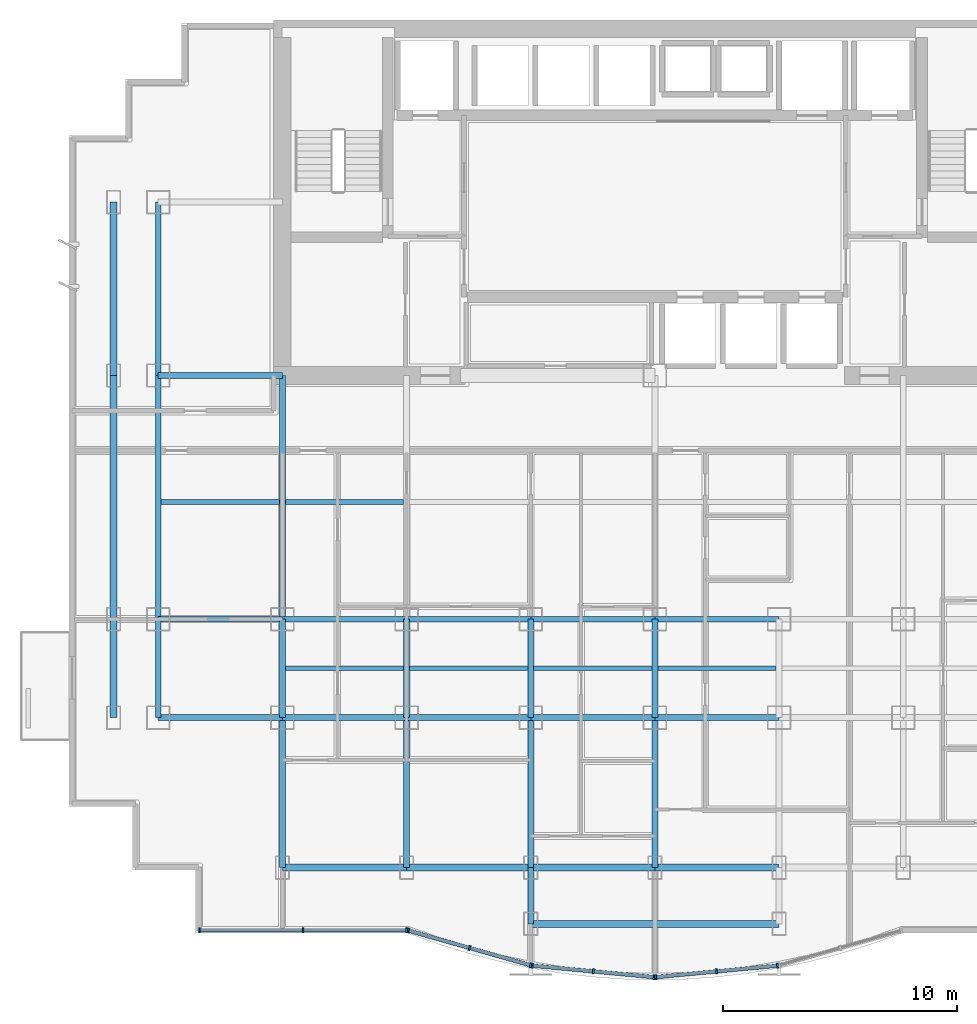
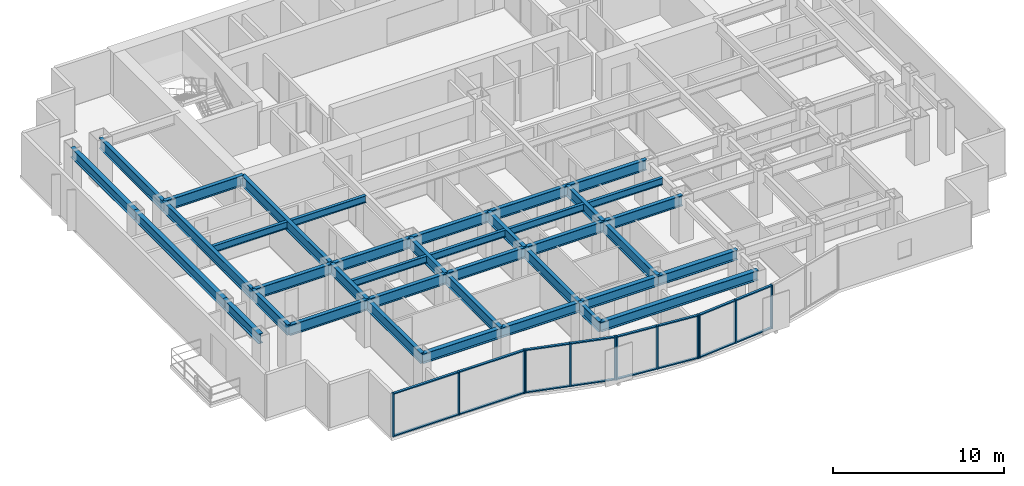
# One storey, part 2 of 10: 38 beams, 28 members, 4 elements without a shape of their own.
"""IFC4 building model written with IfcOpenShell, lengths in metres."""

from ifc_helpers import new_model, si_unit, direction, frame, origin, origin_2d, place, context, subcontext, project, spatial, rectangle, i_section, extrude, source, transform, mapped, material, layer, layer_set, material_profile, profile_set, type_object, element, aggregate, save


model = new_model("IFC4")

# Units and contexts
model_context = context("Model", 3, precision=1e-05, world=origin(), true_north=direction((0.0, 1.0)))
body_context = subcontext(model_context, "Body", "Model", "MODEL_VIEW")
ifc_project = project(units=[si_unit("LENGTHUNIT", "METRE"), si_unit("AREAUNIT", "SQUARE_METRE"), si_unit("VOLUMEUNIT", "CUBIC_METRE"), si_unit("PLANEANGLEUNIT", "RADIAN"), si_unit("MASSUNIT", "GRAM", prefix="KILO")], contexts=[model_context])

# Site, building, storey
site_placement = place(None, origin())
site = spatial("IfcSite", under=ifc_project, at=site_placement, CompositionType="ELEMENT")
building_placement = place(site_placement, origin())
building = spatial("IfcBuilding", under=site, at=building_placement, Name="Qianlan Lanfeng Residences", CompositionType="ELEMENT")
storey_placement = place(building_placement, frame((0.0, 0.0, 98.199951171875)))
storey = spatial("IfcBuildingStorey", under=building, at=storey_placement, Name="L26", CompositionType="ELEMENT", Elevation=98.199951171875)

# Beams
ifc_material_1 = material(Name="Steel SN490B", Category="steel")
ifc_material_profile_1 = material_profile(ifc_material_1, i_section(OverallWidth=0.25, OverallDepth=0.75, WebThickness=0.013916015625, FlangeThickness=0.02490234375, at=origin_2d()), Name="H 750x250x14x25")
ifc_profile_set_1 = profile_set([ifc_material_profile_1], Name="Steel SN490B")
beam_type_1 = type_object("IfcBeamType", Name="G-850", PredefinedType="BEAM", material=ifc_profile_set_1)
beam_1_placement = place(storey_placement, frame((5.300048828125, 10.60009765625, 2.715087890625), z_axis=(1.0, 0.0, 0.0), x_axis=(0.0, 1.0, 0.0)))
element("IfcBeam", 1, at=beam_1_placement, inside=storey, type_object=beam_type_1, Name="Structural beam G-850", PredefinedType="BEAM", context=body_context, shape_type="SweptSolid", body=[
    extrude(i_section(OverallWidth=0.25, OverallDepth=0.75, WebThickness=0.013916015625, FlangeThickness=0.02490234375, at=origin_2d()), origin(), (0.0, 0.0, 1.0), 5.300048828125),
])
beam_2_placement = place(storey_placement, frame((10.60009765625, 10.60009765625, 2.715087890625), z_axis=(1.0, 0.0, 0.0), x_axis=(0.0, 1.0, 0.0)))
element("IfcBeam", 2, at=beam_2_placement, inside=storey, type_object=beam_type_1, Name="Structural beam G-850", PredefinedType="BEAM", context=body_context, shape_type="SweptSolid", body=[
    extrude(i_section(OverallWidth=0.25, OverallDepth=0.75, WebThickness=0.013916015625, FlangeThickness=0.02490234375, at=origin_2d()), origin(), (0.0, 0.0, 1.0), 5.2998046875),
])
for number, where, z_axis, x_axis, name in (
    (3, (15.89990234375, 10.60009765625, 2.715087890625), (1.0, 0.0, 0.0), (0.0, 1.0, 0.0), "Structural beam G-850"),
    (4, (21.199951171875, 10.60009765625, 2.715087890625), (1.0, 0.0, 0.0), (0.0, 1.0, 0.0), "Structural beam G-850"),
    (5, (26.5, 10.60009765625, 2.715087890625), (1.0, 0.0, 0.0), (0.0, 1.0, 0.0), "Structural beam G-850"),
    (6, (5.300048828125, 14.800048828125, 2.715087890625), (1.0, 0.0, 0.0), (0.0, 1.0, 0.0), "Structural beam G-850"),
):
    element("IfcBeam", number, at=place(storey_placement, frame(where, z_axis=z_axis, x_axis=x_axis)), inside=storey, type_object=beam_type_1, Name=name, PredefinedType="BEAM", context=body_context, shape_type="SweptSolid", body=[
        extrude(i_section(OverallWidth=0.25, OverallDepth=0.75, WebThickness=0.013916015625, FlangeThickness=0.02490234375, at=origin_2d()), origin(), (0.0, 0.0, 1.0), 5.300048828125),
    ])
beam_3_placement = place(storey_placement, frame((10.60009765625, 14.800048828125, 2.715087890625), z_axis=(1.0, 0.0, 0.0), x_axis=(0.0, 1.0, 0.0)))
element("IfcBeam", 7, at=beam_3_placement, inside=storey, type_object=beam_type_1, Name="Structural beam G-850", PredefinedType="BEAM", context=body_context, shape_type="SweptSolid", body=[
    extrude(i_section(OverallWidth=0.25, OverallDepth=0.75, WebThickness=0.013916015625, FlangeThickness=0.02490234375, at=origin_2d()), origin(), (0.0, 0.0, 1.0), 5.2998046875),
])
for number, where, z_axis, x_axis, name in (
    (8, (15.89990234375, 14.800048828125, 2.715087890625), (1.0, 0.0, 0.0), (0.0, 1.0, 0.0), "Structural beam G-850"),
    (9, (21.199951171875, 14.800048828125, 2.715087890625), (1.0, 0.0, 0.0), (0.0, 1.0, 0.0), "Structural beam G-850"),
    (10, (26.5, 14.800048828125, 2.715087890625), (1.0, 0.0, 0.0), (0.0, 1.0, 0.0), "Structural beam G-850"),
    (11, (5.300048828125, 25.199951171875, 2.715087890625), (1.0, 0.0, 0.0), (0.0, 1.0, 0.0), "Structural beam G-850"),
):
    element("IfcBeam", number, at=place(storey_placement, frame(where, z_axis=z_axis, x_axis=x_axis)), inside=storey, type_object=beam_type_1, Name=name, PredefinedType="BEAM", context=body_context, shape_type="SweptSolid", body=[
        extrude(i_section(OverallWidth=0.25, OverallDepth=0.75, WebThickness=0.013916015625, FlangeThickness=0.02490234375, at=origin_2d()), origin(), (0.0, 0.0, 1.0), 5.300048828125),
    ])
beam_4_placement = place(storey_placement, frame((5.300048828125, 10.60009765625, 2.715087890625), z_axis=(0.0, 1.0, 0.0), x_axis=(-1.0, 0.0, 0.0)))
element("IfcBeam", 12, at=beam_4_placement, inside=storey, type_object=beam_type_1, Name="Structural beam G-850", PredefinedType="BEAM", context=body_context, shape_type="SweptSolid", body=[
    extrude(i_section(OverallWidth=0.25, OverallDepth=0.75, WebThickness=0.013916015625, FlangeThickness=0.02490234375, at=origin_2d()), origin(), (0.0, 0.0, 1.0), 4.199951171875),
])
beam_5_placement = place(storey_placement, frame((5.300048828125, 14.800048828125, 2.715087890625), z_axis=(0.0, 1.0, 0.0), x_axis=(-1.0, 0.0, 0.0)))
element("IfcBeam", 13, at=beam_5_placement, inside=storey, type_object=beam_type_1, Name="Structural beam G-850", PredefinedType="BEAM", context=body_context, shape_type="SweptSolid", body=[
    extrude(i_section(OverallWidth=0.25, OverallDepth=0.75, WebThickness=0.013916015625, FlangeThickness=0.02490234375, at=origin_2d()), origin(), (0.0, 0.0, 1.0), 10.39990234375),
])
beam_6_placement = place(storey_placement, frame((5.300048828125, 25.199951171875, 2.715087890625), z_axis=(0.0, 1.0, 0.0), x_axis=(-1.0, 0.0, 0.0)))
element("IfcBeam", 14, at=beam_6_placement, inside=storey, type_object=beam_type_1, Name="Structural beam G-850", PredefinedType="BEAM", context=body_context, shape_type="SweptSolid", body=[
    extrude(i_section(OverallWidth=0.25, OverallDepth=0.75, WebThickness=0.013916015625, FlangeThickness=0.02490234375, at=origin_2d()), origin(), (0.0, 0.0, 1.0), 7.400146484375),
])
beam_7_placement = place(storey_placement, frame((10.60009765625, 4.199951171875, 2.715087890625), z_axis=(0.0, 1.0, 0.0), x_axis=(-1.0, 0.0, 0.0)))
element("IfcBeam", 15, at=beam_7_placement, inside=storey, type_object=beam_type_1, Name="Structural beam G-850", PredefinedType="BEAM", context=body_context, shape_type="SweptSolid", body=[
    extrude(i_section(OverallWidth=0.25, OverallDepth=0.75, WebThickness=0.013916015625, FlangeThickness=0.02490234375, at=origin_2d()), origin(), (0.0, 0.0, 1.0), 6.400146484375),
])
beam_8_placement = place(storey_placement, frame((10.60009765625, 10.60009765625, 2.715087890625), z_axis=(0.0, 1.0, 0.0), x_axis=(-1.0, 0.0, 0.0)))
element("IfcBeam", 16, at=beam_8_placement, inside=storey, type_object=beam_type_1, Name="Structural beam G-850", PredefinedType="BEAM", context=body_context, shape_type="SweptSolid", body=[
    extrude(i_section(OverallWidth=0.25, OverallDepth=0.75, WebThickness=0.013916015625, FlangeThickness=0.02490234375, at=origin_2d()), origin(), (0.0, 0.0, 1.0), 4.199951171875),
])
beam_9_placement = place(storey_placement, frame((10.60009765625, 14.800048828125, 2.715087890625), z_axis=(0.0, 1.0, 0.0), x_axis=(-1.0, 0.0, 0.0)))
element("IfcBeam", 17, at=beam_9_placement, inside=storey, type_object=beam_type_1, Name="Structural beam G-850", PredefinedType="BEAM", context=body_context, shape_type="SweptSolid", body=[
    extrude(i_section(OverallWidth=0.25, OverallDepth=0.75, WebThickness=0.013916015625, FlangeThickness=0.02490234375, at=origin_2d()), origin(), (0.0, 0.0, 1.0), 10.39990234375),
])
beam_10_placement = place(storey_placement, frame((15.89990234375, 4.199951171875, 2.715087890625), z_axis=(0.0, 1.0, 0.0), x_axis=(-1.0, 0.0, 0.0)))
element("IfcBeam", 18, at=beam_10_placement, inside=storey, type_object=beam_type_1, Name="Structural beam G-850", PredefinedType="BEAM", context=body_context, shape_type="SweptSolid", body=[
    extrude(i_section(OverallWidth=0.25, OverallDepth=0.75, WebThickness=0.013916015625, FlangeThickness=0.02490234375, at=origin_2d()), origin(), (0.0, 0.0, 1.0), 6.400146484375),
])
beam_11_placement = place(storey_placement, frame((15.89990234375, 10.60009765625, 2.715087890625), z_axis=(0.0, 1.0, 0.0), x_axis=(-1.0, 0.0, 0.0)))
element("IfcBeam", 19, at=beam_11_placement, inside=storey, type_object=beam_type_1, Name="Structural beam G-850", PredefinedType="BEAM", context=body_context, shape_type="SweptSolid", body=[
    extrude(i_section(OverallWidth=0.25, OverallDepth=0.75, WebThickness=0.013916015625, FlangeThickness=0.02490234375, at=origin_2d()), origin(), (0.0, 0.0, 1.0), 4.199951171875),
])
beam_12_placement = place(storey_placement, frame((21.199951171875, 1.800048828125, 2.715087890625), z_axis=(0.0, 1.0, 0.0), x_axis=(-1.0, 0.0, 0.0)))
element("IfcBeam", 20, at=beam_12_placement, inside=storey, type_object=beam_type_1, Name="Structural beam G-850", PredefinedType="BEAM", context=body_context, shape_type="SweptSolid", body=[
    extrude(i_section(OverallWidth=0.25, OverallDepth=0.75, WebThickness=0.013916015625, FlangeThickness=0.02490234375, at=origin_2d()), origin(), (0.0, 0.0, 1.0), 2.39990234375),
])
beam_13_placement = place(storey_placement, frame((21.199951171875, 4.199951171875, 2.715087890625), z_axis=(0.0, 1.0, 0.0), x_axis=(-1.0, 0.0, 0.0)))
element("IfcBeam", 21, at=beam_13_placement, inside=storey, type_object=beam_type_1, Name="Structural beam G-850", PredefinedType="BEAM", context=body_context, shape_type="SweptSolid", body=[
    extrude(i_section(OverallWidth=0.25, OverallDepth=0.75, WebThickness=0.013916015625, FlangeThickness=0.02490234375, at=origin_2d()), origin(), (0.0, 0.0, 1.0), 6.400146484375),
])
beam_14_placement = place(storey_placement, frame((21.199951171875, 10.60009765625, 2.715087890625), z_axis=(0.0, 1.0, 0.0), x_axis=(-1.0, 0.0, 0.0)))
element("IfcBeam", 22, at=beam_14_placement, inside=storey, type_object=beam_type_1, Name="Structural beam G-850", PredefinedType="BEAM", context=body_context, shape_type="SweptSolid", body=[
    extrude(i_section(OverallWidth=0.25, OverallDepth=0.75, WebThickness=0.013916015625, FlangeThickness=0.02490234375, at=origin_2d()), origin(), (0.0, 0.0, 1.0), 4.199951171875),
])
beam_15_placement = place(storey_placement, frame((26.5, 4.199951171875, 2.715087890625), z_axis=(0.0, 1.0, 0.0), x_axis=(-1.0, 0.0, 0.0)))
element("IfcBeam", 23, at=beam_15_placement, inside=storey, type_object=beam_type_1, Name="Structural beam G-850", PredefinedType="BEAM", context=body_context, shape_type="SweptSolid", body=[
    extrude(i_section(OverallWidth=0.25, OverallDepth=0.75, WebThickness=0.013916015625, FlangeThickness=0.02490234375, at=origin_2d()), origin(), (0.0, 0.0, 1.0), 6.400146484375),
])
beam_16_placement = place(storey_placement, frame((26.5, 10.60009765625, 2.715087890625), z_axis=(0.0, 1.0, 0.0), x_axis=(-1.0, 0.0, 0.0)))
element("IfcBeam", 24, at=beam_16_placement, inside=storey, type_object=beam_type_1, Name="Structural beam G-850", PredefinedType="BEAM", context=body_context, shape_type="SweptSolid", body=[
    extrude(i_section(OverallWidth=0.25, OverallDepth=0.75, WebThickness=0.013916015625, FlangeThickness=0.02490234375, at=origin_2d()), origin(), (0.0, 0.0, 1.0), 4.199951171875),
])
ifc_material_profile_2 = material_profile(ifc_material_1, i_section(OverallWidth=0.199951171875, OverallDepth=0.5, WebThickness=0.010009765625, FlangeThickness=0.01611328125, at=origin_2d()), Name="H 500x200x10x16")
ifc_profile_set_2 = profile_set([ifc_material_profile_2], Name="Steel SN490B")
beam_type_2 = type_object("IfcBeamType", Name="J-500", PredefinedType="JOIST", material=ifc_profile_set_2)
beam_17_placement = place(storey_placement, frame((10.72509765625, 12.699951171875, 2.840087890625), z_axis=(1.0, 0.0, 0.0), x_axis=(0.0, 1.0, 0.0)))
element("IfcBeam", 25, at=beam_17_placement, inside=storey, type_object=beam_type_2, Name="Structural beam J-500", PredefinedType="JOIST", context=body_context, shape_type="SweptSolid", body=[
    extrude(i_section(OverallWidth=0.199951171875, OverallDepth=0.5, WebThickness=0.010009765625, FlangeThickness=0.01611328125, at=origin_2d()), origin(), (0.0, 0.0, 1.0), 5.0498046875),
])
for number, where, z_axis, x_axis, name in (
    (26, (16.02490234375, 12.699951171875, 2.840087890625), (1.0, 0.0, 0.0), (0.0, 1.0, 0.0), "Structural beam J-500"),
    (27, (21.324951171875, 12.699951171875, 2.840087890625), (1.0, 0.0, 0.0), (0.0, 1.0, 0.0), "Structural beam J-500"),
    (28, (26.625, 12.699951171875, 2.840087890625), (1.0, 0.0, 0.0), (0.0, 1.0, 0.0), "Structural beam J-500"),
    (29, (5.425048828125, 19.800048828125, 2.840087890625), (1.0, 0.0, 0.0), (0.0, 1.0, 0.0), "Structural beam J-500"),
):
    element("IfcBeam", number, at=place(storey_placement, frame(where, z_axis=z_axis, x_axis=x_axis)), inside=storey, type_object=beam_type_2, Name=name, PredefinedType="JOIST", context=body_context, shape_type="SweptSolid", body=[
        extrude(i_section(OverallWidth=0.199951171875, OverallDepth=0.5, WebThickness=0.010009765625, FlangeThickness=0.01611328125, at=origin_2d()), origin(), (0.0, 0.0, 1.0), 5.050048828125),
    ])
beam_18_placement = place(storey_placement, frame((10.72509765625, 19.800048828125, 2.840087890625), z_axis=(1.0, 0.0, 0.0), x_axis=(0.0, 1.0, 0.0)))
element("IfcBeam", 30, at=beam_18_placement, inside=storey, type_object=beam_type_2, Name="Structural beam J-500", PredefinedType="JOIST", context=body_context, shape_type="SweptSolid", body=[
    extrude(i_section(OverallWidth=0.199951171875, OverallDepth=0.5, WebThickness=0.010009765625, FlangeThickness=0.01611328125, at=origin_2d()), origin(), (0.0, 0.0, 1.0), 5.0498046875),
])
ifc_material_profile_3 = material_profile(ifc_material_1, i_section(OverallWidth=0.300048828125, OverallDepth=0.699951171875, WebThickness=0.012939453125, FlangeThickness=0.02392578125, at=origin_2d()), Name="H 700x300x13x24")
ifc_profile_set_3 = profile_set([ifc_material_profile_3], Name="Steel SN490B")
beam_type_3 = type_object("IfcBeamType", Name="SG-750", PredefinedType="SPANDREL", material=ifc_profile_set_3)
beam_19_placement = place(storey_placement, frame((21.199951171875, 1.800048828125, 2.739990234375), z_axis=(1.0, 0.0, 0.0), x_axis=(0.0, 1.0, 0.0)))
element("IfcBeam", 31, at=beam_19_placement, inside=storey, type_object=beam_type_3, Name="Structural beam SG-750", PredefinedType="SPANDREL", context=body_context, shape_type="SweptSolid", body=[
    extrude(i_section(OverallWidth=0.300048828125, OverallDepth=0.699951171875, WebThickness=0.012939453125, FlangeThickness=0.02392578125, at=origin_2d()), origin(), (0.0, 0.0, 1.0), 10.60009765625),
])
beam_20_placement = place(storey_placement, frame((10.60009765625, 4.199951171875, 2.739990234375), z_axis=(1.0, 0.0, 0.0), x_axis=(0.0, 1.0, 0.0)))
element("IfcBeam", 32, at=beam_20_placement, inside=storey, type_object=beam_type_3, Name="Structural beam SG-750", PredefinedType="SPANDREL", context=body_context, shape_type="SweptSolid", body=[
    extrude(i_section(OverallWidth=0.300048828125, OverallDepth=0.699951171875, WebThickness=0.012939453125, FlangeThickness=0.02392578125, at=origin_2d()), origin(), (0.0, 0.0, 1.0), 5.2998046875),
])
for number, where, z_axis, x_axis, name in (
    (33, (15.89990234375, 4.199951171875, 2.739990234375), (1.0, 0.0, 0.0), (0.0, 1.0, 0.0), "Structural beam SG-750"),
    (34, (21.199951171875, 4.199951171875, 2.739990234375), (1.0, 0.0, 0.0), (0.0, 1.0, 0.0), "Structural beam SG-750"),
    (35, (26.5, 4.199951171875, 2.739990234375), (1.0, 0.0, 0.0), (0.0, 1.0, 0.0), "Structural beam SG-750"),
):
    element("IfcBeam", number, at=place(storey_placement, frame(where, z_axis=z_axis, x_axis=x_axis)), inside=storey, type_object=beam_type_3, Name=name, PredefinedType="SPANDREL", context=body_context, shape_type="SweptSolid", body=[
        extrude(i_section(OverallWidth=0.300048828125, OverallDepth=0.699951171875, WebThickness=0.012939453125, FlangeThickness=0.02392578125, at=origin_2d()), origin(), (0.0, 0.0, 1.0), 5.300048828125),
    ])
beam_21_placement = place(storey_placement, frame((3.39990234375, 10.60009765625, 2.739990234375), z_axis=(0.0, 1.0, 0.0), x_axis=(-1.0, 0.0, 0.0)))
element("IfcBeam", 36, at=beam_21_placement, inside=storey, type_object=beam_type_3, Name="Structural beam SG-750", PredefinedType="SPANDREL", context=body_context, shape_type="SweptSolid", body=[
    extrude(i_section(OverallWidth=0.300048828125, OverallDepth=0.699951171875, WebThickness=0.012939453125, FlangeThickness=0.02392578125, at=origin_2d()), origin(), (0.0, 0.0, 1.0), 4.199951171875),
])
beam_22_placement = place(storey_placement, frame((3.39990234375, 14.800048828125, 2.739990234375), z_axis=(0.0, 1.0, 0.0), x_axis=(-1.0, 0.0, 0.0)))
element("IfcBeam", 37, at=beam_22_placement, inside=storey, type_object=beam_type_3, Name="Structural beam SG-750", PredefinedType="SPANDREL", context=body_context, shape_type="SweptSolid", body=[
    extrude(i_section(OverallWidth=0.300048828125, OverallDepth=0.699951171875, WebThickness=0.012939453125, FlangeThickness=0.02392578125, at=origin_2d()), origin(), (0.0, 0.0, 1.0), 10.39990234375),
])
beam_23_placement = place(storey_placement, frame((3.39990234375, 25.199951171875, 2.739990234375), z_axis=(0.0, 1.0, 0.0), x_axis=(-1.0, 0.0, 0.0)))
element("IfcBeam", 38, at=beam_23_placement, inside=storey, type_object=beam_type_3, Name="Structural beam SG-750", PredefinedType="SPANDREL", context=body_context, shape_type="SweptSolid", body=[
    extrude(i_section(OverallWidth=0.300048828125, OverallDepth=0.699951171875, WebThickness=0.012939453125, FlangeThickness=0.02392578125, at=origin_2d()), origin(), (0.0, 0.0, 1.0), 7.400146484375),
])

# Curtain wall, members
ifc_material_2 = material(Name="Anodised Bronze Aluminium 6063-T6", Category="aluminium")
ifc_layer = layer(ifc_material_2, 0.219970703125)
ifc_layer_set = layer_set([ifc_layer], Name="Anodised Bronze Aluminium 6063-T6")
curtain_wall_type = type_object("IfcCurtainWallType", Name="CW-03", PredefinedType="NOTDEFINED", material=ifc_layer_set)
curtain_wall_1_placement = place(storey_placement, origin())
curtain_wall_1 = element("IfcCurtainWall", 39, at=curtain_wall_1_placement, inside=storey, type_object=curtain_wall_type, Name="L26 Unitised Curtain Wall CWR-L26-01 (CW-03)", PredefinedType="NOTDEFINED")
ifc_material_profile_4 = material_profile(ifc_material_2, rectangle(XDim=0.080078125, YDim=0.159912109375, at=origin_2d()), Name="ALU TRANSOM 80x160")
ifc_profile_set_4 = profile_set([ifc_material_profile_4], Name="Anodised Bronze Aluminium 6063-T6")
member_type_1 = type_object("IfcMemberType", Name="CWT-180", PredefinedType="USERDEFINED", material=ifc_profile_set_4)
shared_shape_1 = source(origin(), body_context, "Body", "SweptSolid", [
    extrude(rectangle(XDim=0.080078125, YDim=0.159912109375, at=origin_2d()), origin(), (0.0, 0.0, 1.0), 4.34033203125),
])
member_1_placement = place(storey_placement, frame((7.10009765625, 1.52001953125, 0.0400390625), z_axis=(1.0, 0.0, 0.0), x_axis=(0.0, 0.0, 1.0)))
member_1 = element("IfcMember", 40, at=member_1_placement, type_object=member_type_1, Name="CWR-L26-01 Transom 1-BOT", ObjectType="TRANSOM", PredefinedType="USERDEFINED", context=body_context, shape_type="MappedRepresentation", body=[
    mapped(shared_shape_1, transform((0.0, 0.0, 0.0), scale=1.0)),
])
member_2_placement = place(storey_placement, frame((7.10009765625, 1.52001953125, 3.050048828125), z_axis=(1.0, 0.0, 0.0), x_axis=(0.0, 0.0, 1.0)))
member_2 = element("IfcMember", 41, at=member_2_placement, type_object=member_type_1, Name="CWR-L26-01 Transom 1-TOP", ObjectType="TRANSOM", PredefinedType="USERDEFINED", context=body_context, shape_type="MappedRepresentation", body=[
    mapped(shared_shape_1, transform((0.0, 0.0, 0.0), scale=1.0)),
])
shared_shape_2 = source(origin(), body_context, "Body", "SweptSolid", [
    extrude(rectangle(XDim=0.080078125, YDim=0.159912109375, at=origin_2d()), origin(), (0.0, 0.0, 1.0), 4.340576171875),
])
member_3_placement = place(storey_placement, frame((11.5205078125, 1.52001953125, 0.0400390625), z_axis=(1.0, 0.0, 0.0), x_axis=(0.0, 0.0, 1.0)))
member_3 = element("IfcMember", 42, at=member_3_placement, type_object=member_type_1, Name="CWR-L26-01 Transom 2-BOT", ObjectType="TRANSOM", PredefinedType="USERDEFINED", context=body_context, shape_type="MappedRepresentation", body=[
    mapped(shared_shape_2, transform((0.0, 0.0, 0.0), scale=1.0)),
])
member_4_placement = place(storey_placement, frame((11.5205078125, 1.52001953125, 3.050048828125), z_axis=(1.0, 0.0, 0.0), x_axis=(0.0, 0.0, 1.0)))
member_4 = element("IfcMember", 43, at=member_4_placement, type_object=member_type_1, Name="CWR-L26-01 Transom 2-TOP", ObjectType="TRANSOM", PredefinedType="USERDEFINED", context=body_context, shape_type="MappedRepresentation", body=[
    mapped(shared_shape_2, transform((0.0, 0.0, 0.0), scale=1.0)),
])

curtain_wall_2_placement = place(storey_placement, origin())
curtain_wall_2 = element("IfcCurtainWall", 44, at=curtain_wall_2_placement, inside=storey, type_object=curtain_wall_type, Name="L26 Unitised Curtain Wall CWR-L26-02 (CW-03)", PredefinedType="NOTDEFINED")
shared_shape_3 = source(origin(), body_context, "Body", "SweptSolid", [
    extrude(rectangle(XDim=0.080078125, YDim=0.159912109375, at=origin_2d()), origin(), (0.0, 0.0, 1.0), 2.630126953125),
])
member_5_placement = place(storey_placement, frame((16.01806640625, 1.498291015625, 0.0400390625), z_axis=(0.961960587005, -0.273188266675, 0.0), x_axis=(0.0, 0.0, 1.0)))
member_5 = element("IfcMember", 45, at=member_5_placement, type_object=member_type_1, Name="CWR-L26-02 Transom 1-BOT", ObjectType="TRANSOM", PredefinedType="USERDEFINED", context=body_context, shape_type="MappedRepresentation", body=[
    mapped(shared_shape_3, transform((0.0, 0.0, 0.0), scale=1.0)),
])
member_6_placement = place(storey_placement, frame((16.01806640625, 1.498291015625, 3.050048828125), z_axis=(0.961960587005, -0.273188266675, 0.0), x_axis=(0.0, 0.0, 1.0)))
member_6 = element("IfcMember", 46, at=member_6_placement, type_object=member_type_1, Name="CWR-L26-02 Transom 1-TOP", ObjectType="TRANSOM", PredefinedType="USERDEFINED", context=body_context, shape_type="MappedRepresentation", body=[
    mapped(shared_shape_3, transform((0.0, 0.0, 0.0), scale=1.0)),
])
member_7_placement = place(storey_placement, frame((18.625, 0.758056640625, 0.0400390625), z_axis=(0.961984978242, -0.273102364758, 0.0), x_axis=(0.0, 0.0, 1.0)))
member_7 = element("IfcMember", 47, at=member_7_placement, type_object=member_type_1, Name="CWR-L26-02 Transom 2-BOT", ObjectType="TRANSOM", PredefinedType="USERDEFINED", context=body_context, shape_type="MappedRepresentation", body=[
    mapped(shared_shape_3, transform((0.0, 0.0, 0.0), scale=1.0)),
])
member_8_placement = place(storey_placement, frame((18.625, 0.758056640625, 3.050048828125), z_axis=(0.961984978242, -0.273102364758, 0.0), x_axis=(0.0, 0.0, 1.0)))
member_8 = element("IfcMember", 48, at=member_8_placement, type_object=member_type_1, Name="CWR-L26-02 Transom 2-TOP", ObjectType="TRANSOM", PredefinedType="USERDEFINED", context=body_context, shape_type="MappedRepresentation", body=[
    mapped(shared_shape_3, transform((0.0, 0.0, 0.0), scale=1.0)),
])

curtain_wall_3_placement = place(storey_placement, origin())
curtain_wall_3 = element("IfcCurtainWall", 49, at=curtain_wall_3_placement, inside=storey, type_object=curtain_wall_type, Name="L26 Unitised Curtain Wall CWR-L26-03 (CW-03)", PredefinedType="NOTDEFINED")
shared_shape_4 = source(origin(), body_context, "Body", "SweptSolid", [
    extrude(rectangle(XDim=0.080078125, YDim=0.159912109375, at=origin_2d()), origin(), (0.0, 0.0, 1.0), 2.52587890625),
])
member_9_placement = place(storey_placement, frame((21.3115234375, 0.010498046875, 0.0400390625), z_axis=(0.995558673677, -0.094143121181, 0.0), x_axis=(0.0, 0.0, 1.0)))
member_9 = element("IfcMember", 50, at=member_9_placement, type_object=member_type_1, Name="CWR-L26-03 Transom 1-BOT", ObjectType="TRANSOM", PredefinedType="USERDEFINED", context=body_context, shape_type="MappedRepresentation", body=[
    mapped(shared_shape_4, transform((0.0, 0.0, 0.0), scale=1.0)),
])
member_10_placement = place(storey_placement, frame((21.3115234375, 0.010498046875, 3.050048828125), z_axis=(0.995558673677, -0.094143121181, 0.0), x_axis=(0.0, 0.0, 1.0)))
member_10 = element("IfcMember", 51, at=member_10_placement, type_object=member_type_1, Name="CWR-L26-03 Transom 1-TOP", ObjectType="TRANSOM", PredefinedType="USERDEFINED", context=body_context, shape_type="MappedRepresentation", body=[
    mapped(shared_shape_4, transform((0.0, 0.0, 0.0), scale=1.0)),
])
member_11_placement = place(storey_placement, frame((23.90576171875, -0.23486328125, 0.0400390625), z_axis=(0.995567728251, -0.094047320348, 0.0), x_axis=(0.0, 0.0, 1.0)))
member_11 = element("IfcMember", 52, at=member_11_placement, type_object=member_type_1, Name="CWR-L26-03 Transom 2-BOT", ObjectType="TRANSOM", PredefinedType="USERDEFINED", context=body_context, shape_type="MappedRepresentation", body=[
    mapped(shared_shape_4, transform((0.0, 0.0, 0.0), scale=1.0)),
])
member_12_placement = place(storey_placement, frame((23.90576171875, -0.23486328125, 3.050048828125), z_axis=(0.995567728251, -0.094047320348, 0.0), x_axis=(0.0, 0.0, 1.0)))
member_12 = element("IfcMember", 53, at=member_12_placement, type_object=member_type_1, Name="CWR-L26-03 Transom 2-TOP", ObjectType="TRANSOM", PredefinedType="USERDEFINED", context=body_context, shape_type="MappedRepresentation", body=[
    mapped(shared_shape_4, transform((0.0, 0.0, 0.0), scale=1.0)),
])

curtain_wall_4_placement = place(storey_placement, origin())
curtain_wall_4 = element("IfcCurtainWall", 54, at=curtain_wall_4_placement, inside=storey, type_object=curtain_wall_type, Name="L26 Unitised Curtain Wall CWR-L26-04 (CW-03)", PredefinedType="NOTDEFINED")
member_13_placement = place(storey_placement, frame((29.173828125, -0.227294921875, 0.0400390625), z_axis=(0.995558673677, 0.094143121181, 0.0), x_axis=(0.0, 0.0, 1.0)))
member_13 = element("IfcMember", 55, at=member_13_placement, type_object=member_type_1, Name="CWR-L26-04 Transom 2-BOT", ObjectType="TRANSOM", PredefinedType="USERDEFINED", context=body_context, shape_type="MappedRepresentation", body=[
    mapped(shared_shape_4, transform((0.0, 0.0, 0.0), scale=1.0)),
])
member_14_placement = place(storey_placement, frame((29.173828125, -0.227294921875, 3.050048828125), z_axis=(0.995558673677, 0.094143121181, 0.0), x_axis=(0.0, 0.0, 1.0)))
member_14 = element("IfcMember", 56, at=member_14_placement, type_object=member_type_1, Name="CWR-L26-04 Transom 2-TOP", ObjectType="TRANSOM", PredefinedType="USERDEFINED", context=body_context, shape_type="MappedRepresentation", body=[
    mapped(shared_shape_4, transform((0.0, 0.0, 0.0), scale=1.0)),
])
shared_shape_5 = source(origin(), body_context, "Body", "SweptSolid", [
    extrude(rectangle(XDim=0.080078125, YDim=0.159912109375, at=origin_2d()), origin(), (0.0, 0.0, 1.0), 2.525634765625),
])
member_15_placement = place(storey_placement, frame((26.57958984375, -0.472412109375, 0.0400390625), z_axis=(0.995566873206, 0.094056371262, 0.0), x_axis=(0.0, 0.0, 1.0)))
member_15 = element("IfcMember", 57, at=member_15_placement, type_object=member_type_1, Name="CWR-L26-04 Transom 1-BOT", ObjectType="TRANSOM", PredefinedType="USERDEFINED", context=body_context, shape_type="MappedRepresentation", body=[
    mapped(shared_shape_5, transform((0.0, 0.0, 0.0), scale=1.0)),
])
member_16_placement = place(storey_placement, frame((26.57958984375, -0.472412109375, 3.050048828125), z_axis=(0.995566873206, 0.094056371262, 0.0), x_axis=(0.0, 0.0, 1.0)))
member_16 = element("IfcMember", 58, at=member_16_placement, type_object=member_type_1, Name="CWR-L26-04 Transom 1-TOP", ObjectType="TRANSOM", PredefinedType="USERDEFINED", context=body_context, shape_type="MappedRepresentation", body=[
    mapped(shared_shape_5, transform((0.0, 0.0, 0.0), scale=1.0)),
])

# Member
ifc_material_profile_5 = material_profile(ifc_material_2, rectangle(XDim=0.080078125, YDim=0.2099609375, at=origin_2d()), Name="ALU MULLION 80x210")
ifc_profile_set_5 = profile_set([ifc_material_profile_5], Name="Anodised Bronze Aluminium 6063-T6")
member_type_2 = type_object("IfcMemberType", Name="CWM-220", PredefinedType="MULLION", material=ifc_profile_set_5)
shared_shape_6 = source(origin(), body_context, "Body", "SweptSolid", [
    extrude(rectangle(XDim=0.080078125, YDim=0.2099609375, at=origin_2d()), origin(), (0.0, 0.0, 1.0), 3.090087890625),
])
member_17_placement = place(storey_placement, frame((7.06005859375, 1.52001953125, 0.0), z_axis=(0.0, 0.0, 1.0), x_axis=(1.0, 0.0, 0.0)))
member_17 = element("IfcMember", 59, at=member_17_placement, type_object=member_type_2, Name="CWR-L26-01 Mullion 1", PredefinedType="MULLION", context=body_context, shape_type="MappedRepresentation", body=[
    mapped(shared_shape_6, transform((0.0, 0.0, 0.0), scale=1.0)),
])

member_18_placement = place(storey_placement, frame((11.48046875, 1.52001953125, 0.0), z_axis=(0.0, 0.0, 1.0), x_axis=(1.0, 0.0, 0.0)))
member_18 = element("IfcMember", 60, at=member_18_placement, type_object=member_type_2, Name="CWR-L26-01 Mullion 2", PredefinedType="MULLION", context=body_context, shape_type="MappedRepresentation", body=[
    mapped(shared_shape_6, transform((0.0, 0.0, 0.0), scale=1.0)),
])

member_19_placement = place(storey_placement, frame((15.90087890625, 1.52001953125, 0.0), z_axis=(0.0, 0.0, 1.0), x_axis=(1.0, 0.0, 0.0)))
member_19 = element("IfcMember", 61, at=member_19_placement, type_object=member_type_2, Name="CWR-L26-01 Mullion 3", PredefinedType="MULLION", context=body_context, shape_type="MappedRepresentation", body=[
    mapped(shared_shape_6, transform((0.0, 0.0, 0.0), scale=1.0)),
])

aggregate(curtain_wall_1, [member_17, member_18, member_19, member_1, member_2, member_3, member_4])

member_20_placement = place(storey_placement, frame((15.9794921875, 1.509033203125, 0.0), z_axis=(0.0, 0.0, 1.0), x_axis=(0.961989074302, -0.273087936247, 0.0)))
member_20 = element("IfcMember", 62, at=member_20_placement, type_object=member_type_2, Name="CWR-L26-02 Mullion 1", PredefinedType="MULLION", context=body_context, shape_type="MappedRepresentation", body=[
    mapped(shared_shape_6, transform((0.0, 0.0, 0.0), scale=1.0)),
])

member_21_placement = place(storey_placement, frame((18.58642578125, 0.76904296875, 0.0), z_axis=(0.0, 0.0, 1.0), x_axis=(0.961989074302, -0.273087936247, 0.0)))
member_21 = element("IfcMember", 63, at=member_21_placement, type_object=member_type_2, Name="CWR-L26-02 Mullion 2", PredefinedType="MULLION", context=body_context, shape_type="MappedRepresentation", body=[
    mapped(shared_shape_6, transform((0.0, 0.0, 0.0), scale=1.0)),
])

member_22_placement = place(storey_placement, frame((21.193603515625, 0.02880859375, 0.0), z_axis=(0.0, 0.0, 1.0), x_axis=(0.961989074302, -0.273087936247, 0.0)))
member_22 = element("IfcMember", 64, at=member_22_placement, type_object=member_type_2, Name="CWR-L26-02 Mullion 3", PredefinedType="MULLION", context=body_context, shape_type="MappedRepresentation", body=[
    mapped(shared_shape_6, transform((0.0, 0.0, 0.0), scale=1.0)),
])

aggregate(curtain_wall_2, [member_20, member_21, member_22, member_5, member_6, member_7, member_8])

member_23_placement = place(storey_placement, frame((21.271728515625, 0.01416015625, 0.0), z_axis=(0.0, 0.0, 1.0), x_axis=(0.995561471839, -0.094113526067, 0.0)))
member_23 = element("IfcMember", 65, at=member_23_placement, type_object=member_type_2, Name="CWR-L26-03 Mullion 1", PredefinedType="MULLION", context=body_context, shape_type="MappedRepresentation", body=[
    mapped(shared_shape_6, transform((0.0, 0.0, 0.0), scale=1.0)),
])

member_24_placement = place(storey_placement, frame((23.865966796875, -0.23095703125, 0.0), z_axis=(0.0, 0.0, 1.0), x_axis=(0.995561471839, -0.094113526067, 0.0)))
member_24 = element("IfcMember", 66, at=member_24_placement, type_object=member_type_2, Name="CWR-L26-03 Mullion 2", PredefinedType="MULLION", context=body_context, shape_type="MappedRepresentation", body=[
    mapped(shared_shape_6, transform((0.0, 0.0, 0.0), scale=1.0)),
])

member_25_placement = place(storey_placement, frame((26.460205078125, -0.476318359375, 0.0), z_axis=(0.0, 0.0, 1.0), x_axis=(0.995561471839, -0.094113526067, 0.0)))
member_25 = element("IfcMember", 67, at=member_25_placement, type_object=member_type_2, Name="CWR-L26-03 Mullion 3", PredefinedType="MULLION", context=body_context, shape_type="MappedRepresentation", body=[
    mapped(shared_shape_6, transform((0.0, 0.0, 0.0), scale=1.0)),
])

aggregate(curtain_wall_3, [member_23, member_24, member_25, member_9, member_10, member_11, member_12])

member_26_placement = place(storey_placement, frame((26.539794921875, -0.476318359375, 0.0), z_axis=(0.0, 0.0, 1.0), x_axis=(0.995561471839, 0.094113526067, 0.0)))
member_26 = element("IfcMember", 68, at=member_26_placement, type_object=member_type_2, Name="CWR-L26-04 Mullion 1", PredefinedType="MULLION", context=body_context, shape_type="MappedRepresentation", body=[
    mapped(shared_shape_6, transform((0.0, 0.0, 0.0), scale=1.0)),
])

member_27_placement = place(storey_placement, frame((29.134033203125, -0.23095703125, 0.0), z_axis=(0.0, 0.0, 1.0), x_axis=(0.995561471839, 0.094113526067, 0.0)))
member_27 = element("IfcMember", 69, at=member_27_placement, type_object=member_type_2, Name="CWR-L26-04 Mullion 2", PredefinedType="MULLION", context=body_context, shape_type="MappedRepresentation", body=[
    mapped(shared_shape_6, transform((0.0, 0.0, 0.0), scale=1.0)),
])

member_28_placement = place(storey_placement, frame((31.728271484375, 0.01416015625, 0.0), z_axis=(0.0, 0.0, 1.0), x_axis=(0.995561471839, 0.094113526067, 0.0)))
member_28 = element("IfcMember", 70, at=member_28_placement, type_object=member_type_2, Name="CWR-L26-04 Mullion 3", PredefinedType="MULLION", context=body_context, shape_type="MappedRepresentation", body=[
    mapped(shared_shape_6, transform((0.0, 0.0, 0.0), scale=1.0)),
])

aggregate(curtain_wall_4, [member_26, member_27, member_28, member_15, member_16, member_13, member_14])

save(model, "model.ifc")
